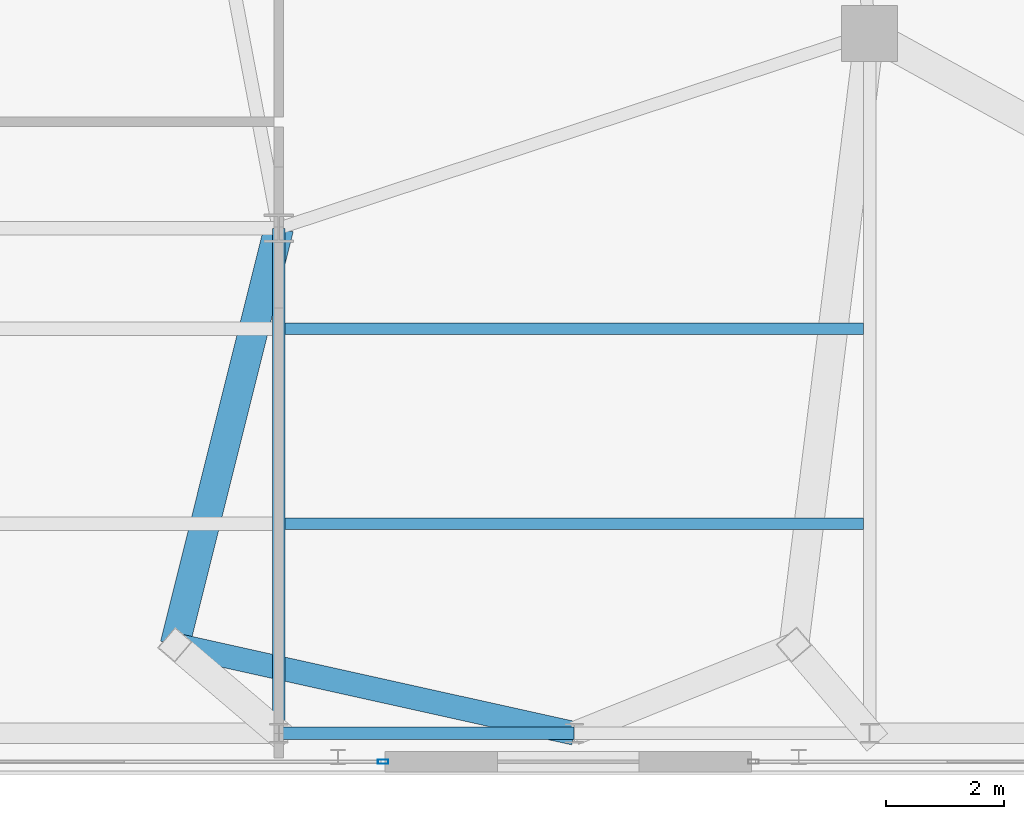
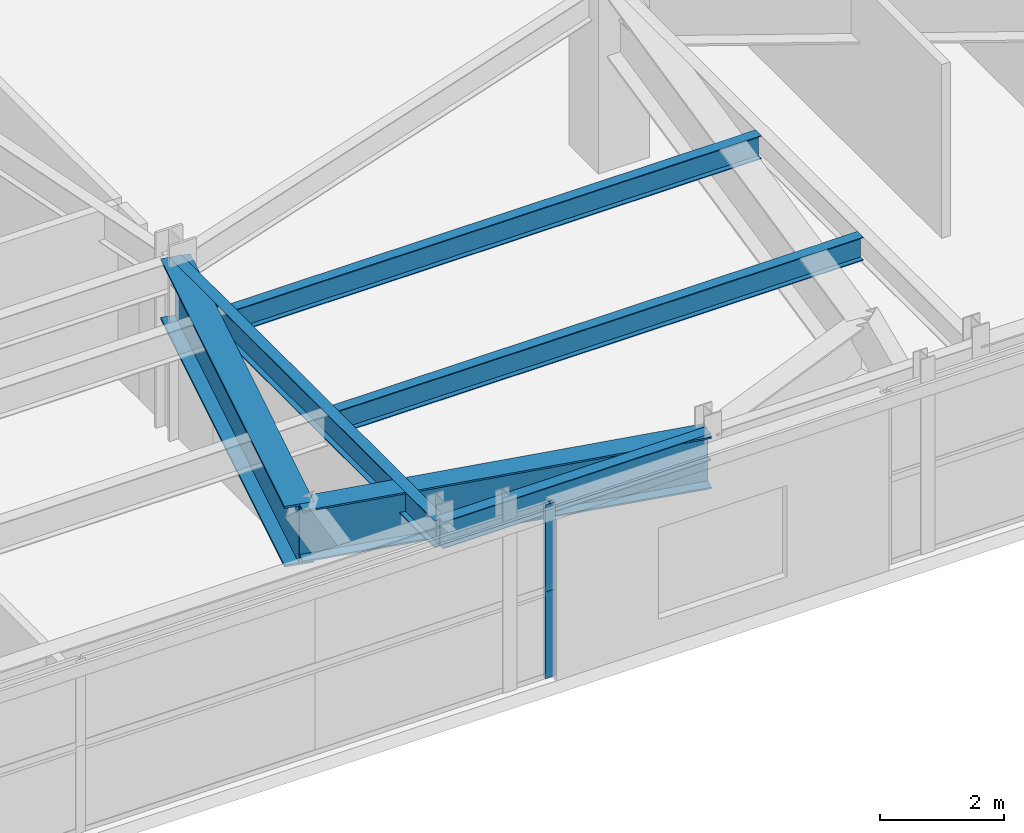
# One storey, part 13 of 27: 6 beams, 2 members, 2 elements without a shape of their own.
"""IFC4 building model written with IfcOpenShell, lengths in metres."""

import ifcopenshell
import ifcopenshell.guid

model = None  # the IFC model being written
_history = None  # IfcOwnerHistory: only IFC2X3 demands one
_inside = {}  # id of a spatial element -> (the spatial element, [elements in it])
_under = {}  # id of a project, library or spatial element -> (it, [spatial elements below it])
_declared = {}  # id of a project -> (the project, [libraries it declares])
_typed = {}  # id of a type object -> (the type object, [elements of that type])
_made_of = {}  # id of a material, layer set ... -> (it, [elements and type objects made of it])


def new_model(schema):
    """Start an empty IFC model of exactly this schema.

    Asked for "IFC4X3", IfcOpenShell would pick the latest addendum, in which some entities
    have other attributes; the version numbers below select the first issue.
    IFC2X3 requires an IfcOwnerHistory on every rooted entity: one is made here for all.
    """
    global model, _history
    if schema == "IFC4X3":
        model = ifcopenshell.file(schema_version=(4, 3, 0, 0))
    else:
        model = ifcopenshell.file(schema=schema)
    _inside.clear()
    _under.clear()
    _declared.clear()
    _typed.clear()
    _made_of.clear()
    _history = None
    if model.schema == "IFC2X3":
        org = make("IfcOrganization", Name="unknown")
        user = make(
            "IfcPersonAndOrganization",
            ThePerson=make("IfcPerson", FamilyName="unknown"),
            TheOrganization=org,
        )
        app = make(
            "IfcApplication",
            ApplicationDeveloper=org,
            Version="unknown",
            ApplicationFullName="unknown",
            ApplicationIdentifier="unknown",
        )
        _history = make(
            "IfcOwnerHistory",
            OwningUser=user,
            OwningApplication=app,
            ChangeAction="ADDED",
            CreationDate=0,
        )
    return model


def make(cls, **values):
    """One entity of the class cls with the attributes given. An attribute that is None is left unset."""
    return model.create_entity(
        cls, **{name: value for name, value in values.items() if value is not None}
    )


def rooted(cls, **values):
    """An entity with a GlobalId (a new one), such as an element, a storey or a relation."""
    return make(cls, GlobalId=ifcopenshell.guid.new(), OwnerHistory=_history, **values)


def si_unit(unit_type, name, prefix=None):
    """IfcSIUnit, for example si_unit("LENGTHUNIT", "METRE", prefix="MILLI")."""
    return make("IfcSIUnit", UnitType=unit_type, Prefix=prefix, Name=name)


def assignment(units):
    """IfcUnitAssignment: the units of a project."""
    return None if units is None else make("IfcUnitAssignment", Units=units)


def point(xyz):
    """IfcCartesianPoint."""
    return None if xyz is None else make("IfcCartesianPoint", Coordinates=xyz)


def direction(xyz):
    """IfcDirection."""
    return None if xyz is None else make("IfcDirection", DirectionRatios=xyz)


def frame(location, z_axis=None, x_axis=None):
    """IfcAxis2Placement3D, a coordinate frame: its origin and axes. An axis left out is left unset."""
    return make(
        "IfcAxis2Placement3D",
        Location=point(location),
        Axis=direction(z_axis),
        RefDirection=direction(x_axis),
    )


def frame_2d(location, x_axis=None):
    """IfcAxis2Placement2D, a coordinate frame in the plane: its origin and x axis."""
    return make(
        "IfcAxis2Placement2D", Location=point(location), RefDirection=direction(x_axis)
    )


def origin():
    """The frame at (0, 0, 0) with its axes left unset."""
    return frame((0.0, 0.0, 0.0))


def origin_2d():
    """The frame at (0, 0) in the plane with its x axis left unset."""
    return frame_2d((0.0, 0.0))


def place(relative_to, where):
    """IfcLocalPlacement: puts the frame where relative to a parent placement (None: the world)."""
    return make(
        "IfcLocalPlacement", PlacementRelTo=relative_to, RelativePlacement=where
    )


def context(
    kind, dimensions, precision=None, world=None, true_north=None, identifier=None
):
    """IfcGeometricRepresentationContext, for example the 3D "Model" context."""
    return make(
        "IfcGeometricRepresentationContext",
        ContextIdentifier=identifier,
        ContextType=kind,
        CoordinateSpaceDimension=dimensions,
        Precision=precision,
        WorldCoordinateSystem=world,
        TrueNorth=true_north,
    )


def subcontext(parent, identifier, kind, view, scale=None):
    """IfcGeometricRepresentationSubContext, for example "Body" below "Model"."""
    return make(
        "IfcGeometricRepresentationSubContext",
        ContextIdentifier=identifier,
        ContextType=kind,
        ParentContext=parent,
        TargetScale=scale,
        TargetView=view,
    )


def project(units=None, contexts=None):
    """IfcProject with its units and contexts."""
    return rooted(
        "IfcProject",
        Name="project",
        RepresentationContexts=contexts,
        UnitsInContext=assignment(units),
    )


def spatial(cls, under=None, at=None, **own):
    """A site, building, storey or space (cls), placed at a placement, below another one or the project."""
    s = rooted(cls, ObjectPlacement=at, **own)
    if under is not None:
        _under.setdefault(under.id(), (under, []))[1].append(s)
    return s


def profile(cls, at=None, kind="AREA", **sizes):
    """A parametric profile (cls). Its sizes go by their IFC names, for example OverallWidth=200.0."""
    return make(cls, ProfileType=kind, Position=at, **sizes)


def hollow_rectangle(**sizes):
    """IfcRectangleHollowProfileDef."""
    return profile("IfcRectangleHollowProfileDef", **sizes)


def i_section(**sizes):
    """IfcIShapeProfileDef."""
    return profile("IfcIShapeProfileDef", **sizes)


def extrude(swept, where, along, depth):
    """IfcExtrudedAreaSolid: the profile swept, set in the frame where, extruded along a direction by depth."""
    return make(
        "IfcExtrudedAreaSolid",
        SweptArea=swept,
        Position=where,
        ExtrudedDirection=direction(along),
        Depth=depth,
    )


def shape(context_of_items, identifier, shape_type, items):
    """IfcShapeRepresentation: the items that make up one representation, for example the "Body"."""
    return make(
        "IfcShapeRepresentation",
        ContextOfItems=context_of_items,
        RepresentationIdentifier=identifier,
        RepresentationType=shape_type,
        Items=items,
    )


def source(mapping_origin, context_of_items, identifier, shape_type, items):
    """IfcRepresentationMap: a shape defined once, which mapped items show again and again."""
    return make(
        "IfcRepresentationMap",
        MappingOrigin=mapping_origin,
        MappedRepresentation=shape(context_of_items, identifier, shape_type, items),
    )


def transform(
    local_origin,
    x_axis=None,
    y_axis=None,
    z_axis=None,
    scale=None,
    scale2=None,
    scale3=None,
    uniform=True,
):
    """IfcCartesianTransformationOperator3D, or its non-uniform kind. x_axis, y_axis, z_axis: its Axis1, 2, 3."""
    if uniform:
        return make(
            "IfcCartesianTransformationOperator3D",
            Axis1=direction(x_axis),
            Axis2=direction(y_axis),
            LocalOrigin=point(local_origin),
            Scale=scale,
            Axis3=direction(z_axis),
        )
    return make(
        "IfcCartesianTransformationOperator3DnonUniform",
        Axis1=direction(x_axis),
        Axis2=direction(y_axis),
        LocalOrigin=point(local_origin),
        Scale=scale,
        Axis3=direction(z_axis),
        Scale2=scale2,
        Scale3=scale3,
    )


def mapped(mapping_source, mapping_target):
    """IfcMappedItem: shows the shape of a source again, moved by a transform."""
    return make(
        "IfcMappedItem", MappingSource=mapping_source, MappingTarget=mapping_target
    )


def material(Name=None, Category=None):
    """IfcMaterial."""
    return make("IfcMaterial", Name=Name, Category=Category)


def layer(
    of_material, thickness, ventilated=None, Name=None, Category=None, Priority=None
):
    """IfcMaterialLayer: one layer of a wall or slab, of a material (None: an air gap)."""
    return make(
        "IfcMaterialLayer",
        Material=of_material,
        LayerThickness=thickness,
        IsVentilated=ventilated,
        Name=Name,
        Category=Category,
        Priority=Priority,
    )


def layer_set(layers, Name=None):
    """IfcMaterialLayerSet."""
    return make("IfcMaterialLayerSet", MaterialLayers=layers, LayerSetName=Name)


def material_profile(
    of_material, cross_section, Name=None, Category=None, Priority=None
):
    """IfcMaterialProfile: a cross section and its material."""
    return make(
        "IfcMaterialProfile",
        Name=Name,
        Material=of_material,
        Profile=cross_section,
        Priority=Priority,
        Category=Category,
    )


def profile_set(profiles, Name=None, composite=None):
    """IfcMaterialProfileSet."""
    return make(
        "IfcMaterialProfileSet",
        Name=Name,
        MaterialProfiles=profiles,
        CompositeProfile=composite,
    )


def made_of(thing, what):
    """Note that an element or type object is made of a material, layer set ...; save() writes the relation."""
    if what is not None:
        _made_of.setdefault(what.id(), (what, []))[1].append(thing)
    return thing


def type_object(cls, material=None, **own):
    """A type object (cls), such as IfcWallType, which elements share."""
    return made_of(rooted(cls, **own), material)


def element(
    cls,
    number,
    at=None,
    inside=None,
    cuts=None,
    type_object=None,
    material=None,
    context=None,
    identifier="Body",
    shape_type=None,
    held_by="IfcProductDefinitionShape",
    body=None,
    shapes=None,
    **own,
):
    """One element of the class cls, such as IfcWall. Its Tag is "e" and its number.

    at: its placement. inside: the storey or other place that contains it. cuts: it is an
    opening in that element (IfcRelVoidsElement). A single representation is given by context,
    identifier, shape_type and body (its items); several are given by shapes. held_by: the class
    of the entity that holds the representations. save() writes the other relations.
    """
    e = rooted(cls, Tag="e%d" % number, ObjectPlacement=at, **own)
    if body is not None:
        shapes = [shape(context, identifier, shape_type, body)]
    if shapes is not None:
        e.Representation = make(held_by, Representations=shapes)
    if inside is not None:
        _inside.setdefault(inside.id(), (inside, []))[1].append(e)
    if cuts is not None:
        rooted(
            "IfcRelVoidsElement", RelatingBuildingElement=cuts, RelatedOpeningElement=e
        )
    if type_object is not None:
        _typed.setdefault(type_object.id(), (type_object, []))[1].append(e)
    return made_of(e, material)


def aggregate(whole, parts):
    """IfcRelAggregates: a whole, such as a stair, and the parts it consists of."""
    return rooted("IfcRelAggregates", RelatingObject=whole, RelatedObjects=parts)


def save(model, path):
    """Write the relations noted so far, then the file.

    IfcRelAggregates (storeys below a building ...), IfcRelContainedInSpatialStructure (elements
    in a storey), IfcRelDefinesByType, IfcRelAssociatesMaterial and IfcRelDeclares: one each for
    every whole, place, type object, material and project.
    """
    for whole, parts in _under.values():
        aggregate(whole, parts)
    for where, things in _inside.values():
        rooted(
            "IfcRelContainedInSpatialStructure",
            RelatedElements=things,
            RelatingStructure=where,
        )
    for kind, things in _typed.values():
        rooted("IfcRelDefinesByType", RelatedObjects=things, RelatingType=kind)
    for what, things in _made_of.values():
        rooted("IfcRelAssociatesMaterial", RelatedObjects=things, RelatingMaterial=what)
    for by, libraries in _declared.values():
        rooted("IfcRelDeclares", RelatingContext=by, RelatedDefinitions=libraries)
    model.write(path)


model = new_model("IFC4")

# Units and contexts
model_context = context("Model", 3, precision=1e-05, world=origin(), true_north=direction((0.0, 1.0)))
body_context = subcontext(model_context, "Body", "Model", "MODEL_VIEW")
ifc_project = project(units=[si_unit("LENGTHUNIT", "METRE"), si_unit("AREAUNIT", "SQUARE_METRE"), si_unit("VOLUMEUNIT", "CUBIC_METRE"), si_unit("PLANEANGLEUNIT", "RADIAN"), si_unit("MASSUNIT", "GRAM", prefix="KILO")], contexts=[model_context])

# Site, building, storey
site_placement = place(None, origin())
site = spatial("IfcSite", under=ifc_project, at=site_placement, CompositionType="ELEMENT")
building_placement = place(site_placement, origin())
building = spatial("IfcBuilding", under=site, at=building_placement, Name="Taldren Reach Tower", CompositionType="ELEMENT")
storey_placement = place(building_placement, frame((0.0, 0.0, 12.949951171875)))
storey = spatial("IfcBuildingStorey", under=building, at=storey_placement, Name="L03", CompositionType="ELEMENT", Elevation=12.949951171875)

# Beams
ifc_material_1 = material(Name="Steel Gr 350 (350PLUS)", Category="steel")
ifc_material_profile_1 = material_profile(ifc_material_1, i_section(OverallWidth=0.208984375, OverallDepth=0.528076171875, WebThickness=0.009521484375, FlangeThickness=0.01318359375, at=origin_2d()), Name="530UB82.0")
ifc_profile_set_1 = profile_set([ifc_material_profile_1], Name="Steel Gr 350 (350PLUS)")
beam_type_1 = type_object("IfcBeamType", Name="SP-UB530B", PredefinedType="SPANDREL", material=ifc_profile_set_1)
shared_shape_1 = source(origin(), body_context, "Body", "SweptSolid", [
    extrude(i_section(OverallWidth=0.208984375, OverallDepth=0.528076171875, WebThickness=0.009521484375, FlangeThickness=0.01318359375, at=origin_2d()), origin(), (0.0, 0.0, 1.0), 5.0),
])
beam_1_placement = place(storey_placement, frame((42.0, 0.64990234375, 3.166015625), z_axis=(1.0, 0.0, 0.0), x_axis=(0.0, 1.0, 0.0)))
element("IfcBeam", 1, at=beam_1_placement, inside=storey, type_object=beam_type_1, Name="Podium beam L03-PD05", PredefinedType="SPANDREL", context=body_context, shape_type="MappedRepresentation", body=[
    mapped(shared_shape_1, transform((0.0, 0.0, 0.0), scale=1.0)),
])
ifc_material_profile_2 = material_profile(ifc_material_1, i_section(OverallWidth=0.208984375, OverallDepth=0.532958984375, WebThickness=0.01025390625, FlangeThickness=0.015625, at=origin_2d()), Name="530UB92.4")
ifc_profile_set_2 = profile_set([ifc_material_profile_2], Name="Steel Gr 350 (350PLUS)")
beam_type_2 = type_object("IfcBeamType", Name="BM-UB530A", PredefinedType="BEAM", material=ifc_profile_set_2)
shared_shape_2 = source(origin(), body_context, "Body", "SweptSolid", [
    extrude(i_section(OverallWidth=0.208984375, OverallDepth=0.532958984375, WebThickness=0.01025390625, FlangeThickness=0.015625, at=origin_2d()), origin(), (0.0, 0.0, 1.0), 8.550048828125),
])
beam_2_placement = place(storey_placement, frame((42.0, 0.64990234375, 3.16357421875), z_axis=(0.0, 1.0, 0.0), x_axis=(-1.0, 0.0, 0.0)))
element("IfcBeam", 2, at=beam_2_placement, inside=storey, type_object=beam_type_2, Name="Podium beam L03-PD24", PredefinedType="BEAM", context=body_context, shape_type="MappedRepresentation", body=[
    mapped(shared_shape_2, transform((0.0, 0.0, 0.0), scale=1.0)),
])
ifc_material_profile_3 = material_profile(ifc_material_1, i_section(OverallWidth=0.19091796875, OverallDepth=0.4599609375, WebThickness=0.010009765625, FlangeThickness=0.01611328125, at=origin_2d()), Name="460UB82.1")
ifc_profile_set_3 = profile_set([ifc_material_profile_3], Name="Steel Gr 350 (350PLUS)")
beam_type_3 = type_object("IfcBeamType", Name="BM-UB460A", PredefinedType="BEAM", material=ifc_profile_set_3)
shared_shape_3 = source(origin(), body_context, "Body", "SweptSolid", [
    extrude(i_section(OverallWidth=0.19091796875, OverallDepth=0.4599609375, WebThickness=0.010009765625, FlangeThickness=0.01611328125, at=origin_2d()), origin(), (0.0, 0.0, 1.0), 9.791015625),
])
for number, where, z_axis, x_axis, name in (
    (3, (42.1044921875, 4.199951171875, 3.199951171875), (1.0, 0.0, 0.0), (0.0, 1.0, 0.0), "Podium composite floor beam L03-1.3"),
    (4, (42.1044921875, 7.5, 3.199951171875), (1.0, 0.0, 0.0), (0.0, 1.0, 0.0), "Podium composite floor beam L03-2.3"),
):
    element("IfcBeam", number, at=place(storey_placement, frame(where, z_axis=z_axis, x_axis=x_axis)), inside=storey, type_object=beam_type_3, Name=name, PredefinedType="BEAM", context=body_context, shape_type="MappedRepresentation", body=[
        mapped(shared_shape_3, transform((0.0, 0.0, 0.0), scale=1.0)),
    ])
ifc_material_profile_4 = material_profile(ifc_material_1, i_section(OverallWidth=0.5, OverallDepth=1.199951171875, WebThickness=0.01611328125, FlangeThickness=0.0400390625, at=origin_2d()), Name="1200WB455")
ifc_profile_set_4 = profile_set([ifc_material_profile_4], Name="Steel Gr 350 (350PLUS)")
beam_type_4 = type_object("IfcBeamType", Name="BM-WB1200", PredefinedType="BEAM", material=ifc_profile_set_4)
shared_shape_4 = source(origin(), body_context, "Body", "SweptSolid", [
    extrude(i_section(OverallWidth=0.5, OverallDepth=1.199951171875, WebThickness=0.01611328125, FlangeThickness=0.0400390625, at=origin_2d()), origin(), (0.0, 0.0, 1.0), 7.266357421875),
])
beam_3_placement = place(storey_placement, frame((42.0, 9.199951171875, 2.830078125), z_axis=(-0.24221148493, -0.970223477642, 0.0), x_axis=(0.970223477642, -0.24221148493, 0.0)))
element("IfcBeam", 5, at=beam_3_placement, inside=storey, type_object=beam_type_4, Name="Block transfer girder TG-B1-S4A on L03", PredefinedType="BEAM", context=body_context, shape_type="MappedRepresentation", body=[
    mapped(shared_shape_4, transform((0.0, 0.0, 0.0), scale=1.0)),
])
ifc_material_profile_5 = material_profile(ifc_material_1, i_section(OverallWidth=0.39990234375, OverallDepth=1.02392578125, WebThickness=0.01611328125, FlangeThickness=0.031982421875, at=origin_2d()), Name="1000WB322")
ifc_profile_set_5 = profile_set([ifc_material_profile_5], Name="Steel Gr 350 (350PLUS)")
beam_type_5 = type_object("IfcBeamType", Name="BM-WB1000", PredefinedType="BEAM", material=ifc_profile_set_5)
shared_shape_5 = source(origin(), body_context, "Body", "SweptSolid", [
    extrude(i_section(OverallWidth=0.39990234375, OverallDepth=1.02392578125, WebThickness=0.01611328125, FlangeThickness=0.031982421875, at=origin_2d()), origin(), (0.0, 0.0, 1.0), 6.92431640625),
])
beam_4_placement = place(storey_placement, frame((47.0, 0.64990234375, 2.91796875), z_axis=(-0.976255039126, 0.21662432592, 0.0), x_axis=(-0.21662432592, -0.976255039126, 0.0)))
element("IfcBeam", 6, at=beam_4_placement, inside=storey, type_object=beam_type_5, Name="Block transfer tie girder TG-B1-S4B on L03", PredefinedType="BEAM", context=body_context, shape_type="MappedRepresentation", body=[
    mapped(shared_shape_5, transform((0.0, 0.0, 0.0), scale=1.0)),
])

# Curtain wall, member
ifc_material_2 = material(Name="Aluminium and Low-E Glass Unitised System", Category="aluminium")
ifc_layer = layer(ifc_material_2, 0.159912109375)
ifc_layer_set = layer_set([ifc_layer], Name="Aluminium and Low-E Glass Unitised System")
curtain_wall_type = type_object("IfcCurtainWallType", Name="CW-SYS-1", PredefinedType="NOTDEFINED", material=ifc_layer_set)
curtain_wall_1_placement = place(storey_placement, origin())
curtain_wall_1 = element("IfcCurtainWall", 7, at=curtain_wall_1_placement, inside=storey, type_object=curtain_wall_type, Name="Unitised curtain wall CW1-L03-S2", PredefinedType="NOTDEFINED")
ifc_material_3 = material(Name="Anodised Aluminium 6063-T6", Category="aluminium")
ifc_material_profile_6 = material_profile(ifc_material_3, hollow_rectangle(XDim=0.070068359375, YDim=0.179931640625, WallThickness=0.00390625, at=origin_2d()), Name="ALU-180x70x4RHS")
ifc_profile_set_6 = profile_set([ifc_material_profile_6], Name="Anodised Aluminium 6063-T6")
member_type = type_object("IfcMemberType", Name="CW-MUL-180", PredefinedType="MULLION", material=ifc_profile_set_6)
shared_shape_6 = source(origin(), body_context, "Body", "SweptSolid", [
    extrude(hollow_rectangle(XDim=0.070068359375, YDim=0.179931640625, WallThickness=0.00390625, at=origin_2d()), origin(), (0.0, 0.0, 1.0), 1.715087890625),
])
member_1_placement = place(storey_placement, frame((43.764892578125, 0.169921875, 0.0), z_axis=(0.0, 0.0, 1.0), x_axis=(0.0, 1.0, 0.0)))
member_1 = element("IfcMember", 8, at=member_1_placement, type_object=member_type, Name="CW-1 mullion 3", PredefinedType="MULLION", context=body_context, shape_type="MappedRepresentation", body=[
    mapped(shared_shape_6, transform((0.0, 0.0, 0.0), scale=1.0)),
])
aggregate(curtain_wall_1, [member_1])

curtain_wall_2_placement = place(storey_placement, origin())
curtain_wall_2 = element("IfcCurtainWall", 9, at=curtain_wall_2_placement, inside=storey, type_object=curtain_wall_type, Name="Unitised curtain wall CW1-L03-S2-T2", PredefinedType="NOTDEFINED")
shared_shape_7 = source(origin(), body_context, "Body", "SweptSolid", [
    extrude(hollow_rectangle(XDim=0.070068359375, YDim=0.179931640625, WallThickness=0.00390625, at=origin_2d()), origin(), (0.0, 0.0, 1.0), 1.71484375),
])
member_2_placement = place(storey_placement, frame((43.764892578125, 0.169921875, 1.715087890625), z_axis=(0.0, 0.0, 1.0), x_axis=(0.0, 1.0, 0.0)))
member_2 = element("IfcMember", 10, at=member_2_placement, type_object=member_type, Name="CW-1 mullion 3", PredefinedType="MULLION", context=body_context, shape_type="MappedRepresentation", body=[
    mapped(shared_shape_7, transform((0.0, 0.0, 0.0), scale=1.0)),
])
aggregate(curtain_wall_2, [member_2])

save(model, "model.ifc")
